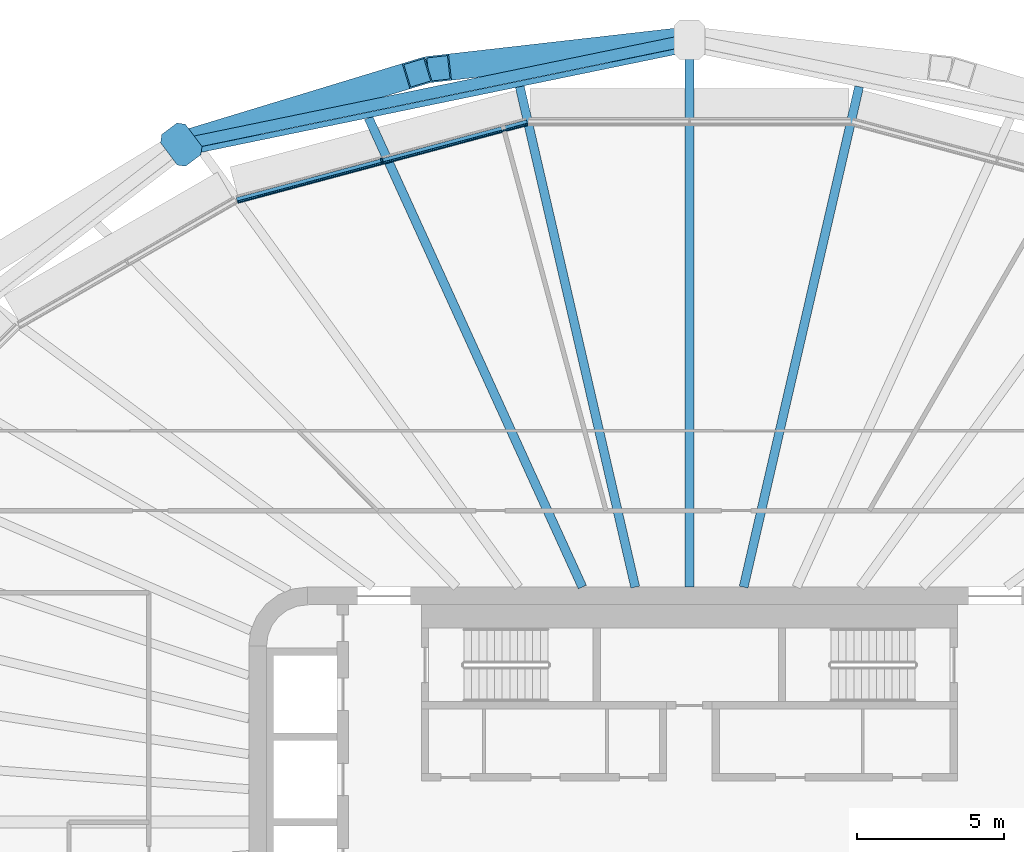
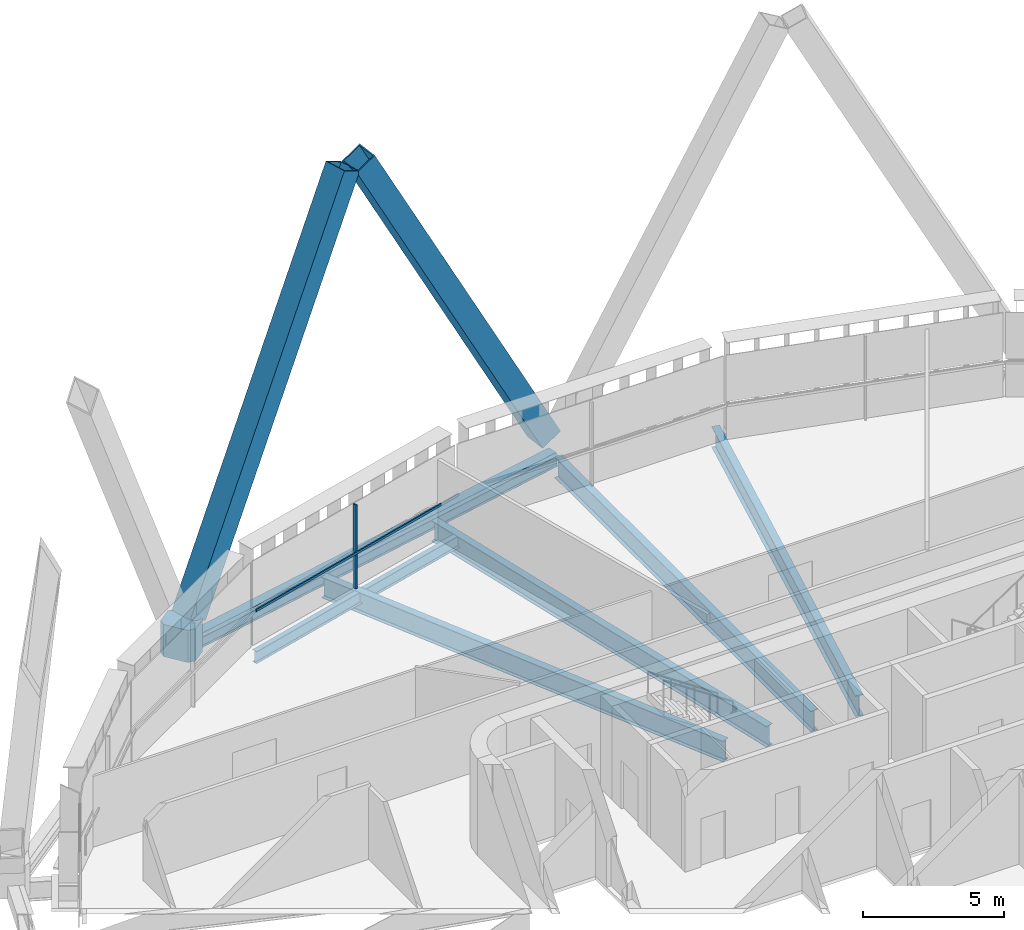
# One storey, part 8 of 25: 7 beams, 5 members, 1 element without a shape of its own.
"""IFC4 building model written with IfcOpenShell, lengths in metres."""

import ifcopenshell
import ifcopenshell.guid

model = None  # the IFC model being written
_history = None  # IfcOwnerHistory: only IFC2X3 demands one
_inside = {}  # id of a spatial element -> (the spatial element, [elements in it])
_under = {}  # id of a project, library or spatial element -> (it, [spatial elements below it])
_declared = {}  # id of a project -> (the project, [libraries it declares])
_typed = {}  # id of a type object -> (the type object, [elements of that type])
_made_of = {}  # id of a material, layer set ... -> (it, [elements and type objects made of it])


def new_model(schema):
    """Start an empty IFC model of exactly this schema.

    Asked for "IFC4X3", IfcOpenShell would pick the latest addendum, in which some entities
    have other attributes; the version numbers below select the first issue.
    IFC2X3 requires an IfcOwnerHistory on every rooted entity: one is made here for all.
    """
    global model, _history
    if schema == "IFC4X3":
        model = ifcopenshell.file(schema_version=(4, 3, 0, 0))
    else:
        model = ifcopenshell.file(schema=schema)
    _inside.clear()
    _under.clear()
    _declared.clear()
    _typed.clear()
    _made_of.clear()
    _history = None
    if model.schema == "IFC2X3":
        org = make("IfcOrganization", Name="unknown")
        user = make(
            "IfcPersonAndOrganization",
            ThePerson=make("IfcPerson", FamilyName="unknown"),
            TheOrganization=org,
        )
        app = make(
            "IfcApplication",
            ApplicationDeveloper=org,
            Version="unknown",
            ApplicationFullName="unknown",
            ApplicationIdentifier="unknown",
        )
        _history = make(
            "IfcOwnerHistory",
            OwningUser=user,
            OwningApplication=app,
            ChangeAction="ADDED",
            CreationDate=0,
        )
    return model


def make(cls, **values):
    """One entity of the class cls with the attributes given. An attribute that is None is left unset."""
    return model.create_entity(
        cls, **{name: value for name, value in values.items() if value is not None}
    )


def rooted(cls, **values):
    """An entity with a GlobalId (a new one), such as an element, a storey or a relation."""
    return make(cls, GlobalId=ifcopenshell.guid.new(), OwnerHistory=_history, **values)


def si_unit(unit_type, name, prefix=None):
    """IfcSIUnit, for example si_unit("LENGTHUNIT", "METRE", prefix="MILLI")."""
    return make("IfcSIUnit", UnitType=unit_type, Prefix=prefix, Name=name)


def assignment(units):
    """IfcUnitAssignment: the units of a project."""
    return None if units is None else make("IfcUnitAssignment", Units=units)


def point(xyz):
    """IfcCartesianPoint."""
    return None if xyz is None else make("IfcCartesianPoint", Coordinates=xyz)


def direction(xyz):
    """IfcDirection."""
    return None if xyz is None else make("IfcDirection", DirectionRatios=xyz)


def frame(location, z_axis=None, x_axis=None):
    """IfcAxis2Placement3D, a coordinate frame: its origin and axes. An axis left out is left unset."""
    return make(
        "IfcAxis2Placement3D",
        Location=point(location),
        Axis=direction(z_axis),
        RefDirection=direction(x_axis),
    )


def frame_2d(location, x_axis=None):
    """IfcAxis2Placement2D, a coordinate frame in the plane: its origin and x axis."""
    return make(
        "IfcAxis2Placement2D", Location=point(location), RefDirection=direction(x_axis)
    )


def origin():
    """The frame at (0, 0, 0) with its axes left unset."""
    return frame((0.0, 0.0, 0.0))


def origin_2d():
    """The frame at (0, 0) in the plane with its x axis left unset."""
    return frame_2d((0.0, 0.0))


def place(relative_to, where):
    """IfcLocalPlacement: puts the frame where relative to a parent placement (None: the world)."""
    return make(
        "IfcLocalPlacement", PlacementRelTo=relative_to, RelativePlacement=where
    )


def context(
    kind, dimensions, precision=None, world=None, true_north=None, identifier=None
):
    """IfcGeometricRepresentationContext, for example the 3D "Model" context."""
    return make(
        "IfcGeometricRepresentationContext",
        ContextIdentifier=identifier,
        ContextType=kind,
        CoordinateSpaceDimension=dimensions,
        Precision=precision,
        WorldCoordinateSystem=world,
        TrueNorth=true_north,
    )


def subcontext(parent, identifier, kind, view, scale=None):
    """IfcGeometricRepresentationSubContext, for example "Body" below "Model"."""
    return make(
        "IfcGeometricRepresentationSubContext",
        ContextIdentifier=identifier,
        ContextType=kind,
        ParentContext=parent,
        TargetScale=scale,
        TargetView=view,
    )


def project(units=None, contexts=None):
    """IfcProject with its units and contexts."""
    return rooted(
        "IfcProject",
        Name="project",
        RepresentationContexts=contexts,
        UnitsInContext=assignment(units),
    )


def spatial(cls, under=None, at=None, **own):
    """A site, building, storey or space (cls), placed at a placement, below another one or the project."""
    s = rooted(cls, ObjectPlacement=at, **own)
    if under is not None:
        _under.setdefault(under.id(), (under, []))[1].append(s)
    return s


def polyline(points):
    """IfcPolyline through the points."""
    return make("IfcPolyline", Points=[point(p) for p in points])


def profile(cls, at=None, kind="AREA", **sizes):
    """A parametric profile (cls). Its sizes go by their IFC names, for example OverallWidth=200.0."""
    return make(cls, ProfileType=kind, Position=at, **sizes)


def rectangle(**sizes):
    """IfcRectangleProfileDef."""
    return profile("IfcRectangleProfileDef", **sizes)


def hollow_rectangle(**sizes):
    """IfcRectangleHollowProfileDef."""
    return profile("IfcRectangleHollowProfileDef", **sizes)


def i_section(**sizes):
    """IfcIShapeProfileDef."""
    return profile("IfcIShapeProfileDef", **sizes)


def outline(outer, holes=None, kind="AREA"):
    """IfcArbitraryClosedProfileDef: a profile drawn as a closed curve; with holes, ...WithVoids."""
    if holes is None:
        return make("IfcArbitraryClosedProfileDef", ProfileType=kind, OuterCurve=outer)
    return make(
        "IfcArbitraryProfileDefWithVoids",
        ProfileType=kind,
        OuterCurve=outer,
        InnerCurves=holes,
    )


def extrude(swept, where, along, depth):
    """IfcExtrudedAreaSolid: the profile swept, set in the frame where, extruded along a direction by depth."""
    return make(
        "IfcExtrudedAreaSolid",
        SweptArea=swept,
        Position=where,
        ExtrudedDirection=direction(along),
        Depth=depth,
    )


def shape(context_of_items, identifier, shape_type, items):
    """IfcShapeRepresentation: the items that make up one representation, for example the "Body"."""
    return make(
        "IfcShapeRepresentation",
        ContextOfItems=context_of_items,
        RepresentationIdentifier=identifier,
        RepresentationType=shape_type,
        Items=items,
    )


def material(Name=None, Category=None):
    """IfcMaterial."""
    return make("IfcMaterial", Name=Name, Category=Category)


def layer(
    of_material, thickness, ventilated=None, Name=None, Category=None, Priority=None
):
    """IfcMaterialLayer: one layer of a wall or slab, of a material (None: an air gap)."""
    return make(
        "IfcMaterialLayer",
        Material=of_material,
        LayerThickness=thickness,
        IsVentilated=ventilated,
        Name=Name,
        Category=Category,
        Priority=Priority,
    )


def layer_set(layers, Name=None):
    """IfcMaterialLayerSet."""
    return make("IfcMaterialLayerSet", MaterialLayers=layers, LayerSetName=Name)


def material_profile(
    of_material, cross_section, Name=None, Category=None, Priority=None
):
    """IfcMaterialProfile: a cross section and its material."""
    return make(
        "IfcMaterialProfile",
        Name=Name,
        Material=of_material,
        Profile=cross_section,
        Priority=Priority,
        Category=Category,
    )


def profile_set(profiles, Name=None, composite=None):
    """IfcMaterialProfileSet."""
    return make(
        "IfcMaterialProfileSet",
        Name=Name,
        MaterialProfiles=profiles,
        CompositeProfile=composite,
    )


def made_of(thing, what):
    """Note that an element or type object is made of a material, layer set ...; save() writes the relation."""
    if what is not None:
        _made_of.setdefault(what.id(), (what, []))[1].append(thing)
    return thing


def type_object(cls, material=None, **own):
    """A type object (cls), such as IfcWallType, which elements share."""
    return made_of(rooted(cls, **own), material)


def element(
    cls,
    number,
    at=None,
    inside=None,
    cuts=None,
    type_object=None,
    material=None,
    context=None,
    identifier="Body",
    shape_type=None,
    held_by="IfcProductDefinitionShape",
    body=None,
    shapes=None,
    **own,
):
    """One element of the class cls, such as IfcWall. Its Tag is "e" and its number.

    at: its placement. inside: the storey or other place that contains it. cuts: it is an
    opening in that element (IfcRelVoidsElement). A single representation is given by context,
    identifier, shape_type and body (its items); several are given by shapes. held_by: the class
    of the entity that holds the representations. save() writes the other relations.
    """
    e = rooted(cls, Tag="e%d" % number, ObjectPlacement=at, **own)
    if body is not None:
        shapes = [shape(context, identifier, shape_type, body)]
    if shapes is not None:
        e.Representation = make(held_by, Representations=shapes)
    if inside is not None:
        _inside.setdefault(inside.id(), (inside, []))[1].append(e)
    if cuts is not None:
        rooted(
            "IfcRelVoidsElement", RelatingBuildingElement=cuts, RelatedOpeningElement=e
        )
    if type_object is not None:
        _typed.setdefault(type_object.id(), (type_object, []))[1].append(e)
    return made_of(e, material)


def aggregate(whole, parts):
    """IfcRelAggregates: a whole, such as a stair, and the parts it consists of."""
    return rooted("IfcRelAggregates", RelatingObject=whole, RelatedObjects=parts)


def save(model, path):
    """Write the relations noted so far, then the file.

    IfcRelAggregates (storeys below a building ...), IfcRelContainedInSpatialStructure (elements
    in a storey), IfcRelDefinesByType, IfcRelAssociatesMaterial and IfcRelDeclares: one each for
    every whole, place, type object, material and project.
    """
    for whole, parts in _under.values():
        aggregate(whole, parts)
    for where, things in _inside.values():
        rooted(
            "IfcRelContainedInSpatialStructure",
            RelatedElements=things,
            RelatingStructure=where,
        )
    for kind, things in _typed.values():
        rooted("IfcRelDefinesByType", RelatedObjects=things, RelatingType=kind)
    for what, things in _made_of.values():
        rooted("IfcRelAssociatesMaterial", RelatedObjects=things, RelatingMaterial=what)
    for by, libraries in _declared.values():
        rooted("IfcRelDeclares", RelatingContext=by, RelatedDefinitions=libraries)
    model.write(path)


model = new_model("IFC4")

# Units and contexts
model_context = context("Model", 3, precision=1e-05, world=origin(), true_north=direction((0.0, 1.0)))
body_context = subcontext(model_context, "Body", "Model", "MODEL_VIEW")
ifc_project = project(units=[si_unit("LENGTHUNIT", "METRE"), si_unit("AREAUNIT", "SQUARE_METRE"), si_unit("VOLUMEUNIT", "CUBIC_METRE"), si_unit("PLANEANGLEUNIT", "RADIAN"), si_unit("MASSUNIT", "GRAM", prefix="KILO")], contexts=[model_context])

# Site, building, storey
site_placement = place(None, origin())
site = spatial("IfcSite", under=ifc_project, at=site_placement, CompositionType="ELEMENT")
building_placement = place(site_placement, origin())
building = spatial("IfcBuilding", under=site, at=building_placement, Name="Sahrelin Media Tower", CompositionType="ELEMENT")
storey_placement = place(building_placement, frame((0.0, 0.0, 114.60009765625)))
storey = spatial("IfcBuildingStorey", under=building, at=storey_placement, Name="L22", CompositionType="ELEMENT", Elevation=114.60009765625)

# Members
ifc_material_1 = material(Name="Steel S460", Category="steel")
ifc_material_profile_1 = material_profile(ifc_material_1, hollow_rectangle(XDim=0.89990234375, YDim=0.89990234375, WallThickness=0.050048828125, at=origin_2d()), Name="Diagrid diagonal DG3")
ifc_profile_set_1 = profile_set([ifc_material_profile_1], Name="Steel S460")
member_type_1 = type_object("IfcMemberType", Name="Diagrid diagonal DG3", PredefinedType="BRACE", material=ifc_profile_set_1)
member_1_placement = place(storey_placement, frame((-0.37158203125, 26.584716796875, 0.699951171875), z_axis=(-0.468103705701, -0.053333757537, 0.882062600395), x_axis=(0.113203375276, -0.993571837275, 0.0)))
element("IfcMember", 1, at=member_1_placement, inside=storey, type_object=member_type_1, Name="Diagrid diagonal D04-06", PredefinedType="BRACE", context=body_context, shape_type="SweptSolid", body=[
    extrude(hollow_rectangle(XDim=0.89990234375, YDim=0.89990234375, WallThickness=0.050048828125, at=origin_2d()), origin(), (0.0, 0.0, 1.0), 17.458984375),
])
member_2_placement = place(storey_placement, frame((-16.947998046875, 23.166015625, 0.699951171875), z_axis=(0.442364026097, 0.134663087703, 0.886667875377), x_axis=(-0.291222097573, 0.956655470838, 0.0)))
element("IfcMember", 2, at=member_2_placement, inside=storey, type_object=member_type_1, Name="Diagrid diagonal D04-07", PredefinedType="BRACE", context=body_context, shape_type="SweptSolid", body=[
    extrude(hollow_rectangle(XDim=0.89990234375, YDim=0.89990234375, WallThickness=0.050048828125, at=origin_2d()), origin(), (0.0, 0.0, 1.0), 17.368408203125),
])
ifc_material_profile_2 = material_profile(ifc_material_1, outline(polyline([(0.47509765625, -0.52490234375), (0.675048828125, -0.324951171875), (0.675048828125, 0.324951171875), (0.47509765625, 0.52490234375), (-0.47509765625, 0.52490234375), (-0.675048828125, 0.324951171875), (-0.675048828125, -0.324951171875), (-0.47509765625, -0.52490234375), (0.47509765625, -0.52490234375)])), Name="Diagrid node block 1350")
ifc_profile_set_2 = profile_set([ifc_material_profile_2], Name="Steel S460")
member_type_2 = type_object("IfcMemberType", Name="Diagrid node block 1350", PredefinedType="USERDEFINED", material=ifc_profile_set_2)
member_3_placement = place(storey_placement, frame((-17.297119140625, 23.059814453125, -0.7001953125), z_axis=(0.0, 0.0, 1.0), x_axis=(-0.600050297167, 0.799962274654, 0.0)))
element("IfcMember", 3, at=member_3_placement, inside=storey, type_object=member_type_2, Name="Diagrid node N04-04", ObjectType="NODE", PredefinedType="USERDEFINED", context=body_context, shape_type="SweptSolid", body=[
    extrude(outline(polyline([(0.47509765625, -0.52490234375), (0.675048828125, -0.324951171875), (0.675048828125, 0.324951171875), (0.47509765625, 0.52490234375), (-0.47509765625, 0.52490234375), (-0.675048828125, 0.324951171875), (-0.675048828125, -0.324951171875), (-0.47509765625, -0.52490234375), (0.47509765625, -0.52490234375)])), origin(), (0.0, 0.0, 1.0), 1.400146484375),
])

# Beams
ifc_material_profile_3 = material_profile(ifc_material_1, hollow_rectangle(XDim=0.39990234375, YDim=0.60009765625, WallThickness=0.030029296875, at=origin_2d()), Name="Diagrid ring beam RB1")
ifc_profile_set_3 = profile_set([ifc_material_profile_3], Name="Steel S460")
beam_type_1 = type_object("IfcBeamType", Name="Diagrid ring beam RB1", PredefinedType="BEAM", material=ifc_profile_set_3)
beam_1_placement = place(storey_placement, frame((0.0, 26.627197265625, -0.4501953125), z_axis=(-0.979387523042, -0.201990296076, 0.0), x_axis=(0.201990296076, -0.979387523042, 0.0)))
element("IfcBeam", 4, at=beam_1_placement, inside=storey, type_object=beam_type_1, Name="Diagrid ring beam RB04-03", PredefinedType="BEAM", context=body_context, shape_type="SweptSolid", body=[
    extrude(hollow_rectangle(XDim=0.39990234375, YDim=0.60009765625, WallThickness=0.030029296875, at=origin_2d()), origin(), (0.0, 0.0, 1.0), 17.6611328125),
])
ifc_material_2 = material(Name="Steel S355", Category="steel")
ifc_material_profile_4 = material_profile(ifc_material_2, i_section(OverallWidth=0.208740234375, OverallDepth=0.5283203125, WebThickness=0.009521484375, FlangeThickness=0.01318359375, FilletRadius=0.0126953125, at=origin_2d()), Name="UB 533x210x82")
ifc_profile_set_4 = profile_set([ifc_material_profile_4], Name="Steel S355")
beam_type_2 = type_object("IfcBeamType", Name="Edge beam EB6", PredefinedType="BEAM", material=ifc_profile_set_4)
beam_2_placement = place(storey_placement, frame((-15.398193359375, 21.15478515625, -0.414306640625), z_axis=(0.96592556592, 0.258820016811, 0.0), x_axis=(-0.258820016811, 0.96592556592, 0.0)))
element("IfcBeam", 5, at=beam_2_placement, inside=storey, type_object=beam_type_2, Name="Edge beam L22-18", PredefinedType="BEAM", context=body_context, shape_type="SweptSolid", body=[
    extrude(i_section(OverallWidth=0.208740234375, OverallDepth=0.5283203125, WebThickness=0.009521484375, FlangeThickness=0.01318359375, FilletRadius=0.0126953125, at=origin_2d()), origin(), (0.0, 0.0, 1.0), 10.22607421875),
])

# Curtain wall, member
ifc_material_3 = material(Name="Champagne anodised aluminium 6063-T6", Category="aluminium")
ifc_layer = layer(ifc_material_3, 0.14990234375)
ifc_layer_set = layer_set([ifc_layer], Name="Tower ribbon curtain wall")
curtain_wall_type = type_object("IfcCurtainWallType", Name="Tower ribbon curtain wall", PredefinedType="NOTDEFINED", material=ifc_layer_set)
curtain_wall_placement = place(storey_placement, frame((-10.498046875, 22.622802734375, 0.0), z_axis=(0.0, 0.0, 1.0), x_axis=(1.0, 0.0, 0.0)))
curtain_wall = element("IfcCurtainWall", 6, at=curtain_wall_placement, inside=storey, type_object=curtain_wall_type, Name="L22:CW:L22-07", PredefinedType="NOTDEFINED")
ifc_material_profile_5 = material_profile(ifc_material_3, rectangle(XDim=0.06005859375, YDim=0.14990234375, at=origin_2d()), Name="Mullion 60x150")
ifc_profile_set_5 = profile_set([ifc_material_profile_5], Name="Champagne anodised aluminium 6063-T6")
member_type_3 = type_object("IfcMemberType", Name="Mullion 60x150 CW1", PredefinedType="MULLION", material=ifc_profile_set_5)
member_4_placement = place(storey_placement, frame((-10.473388671875, 22.53125, 0.0), z_axis=(0.0, 0.0, 1.0), x_axis=(-0.965925374563, -0.258820730961, 0.0)))
member_4 = element("IfcMember", 7, at=member_4_placement, type_object=member_type_3, Name="L22:CWM:L22-07", PredefinedType="MULLION", context=body_context, shape_type="SweptSolid", body=[
    extrude(rectangle(XDim=0.06005859375, YDim=0.14990234375, at=origin_2d()), origin(), (0.0, 0.0, 1.0), 3.6484375),
])

# Beams
ifc_material_profile_6 = material_profile(ifc_material_2, i_section(OverallWidth=0.30322265625, OverallDepth=0.903076171875, WebThickness=0.01513671875, FlangeThickness=0.020263671875, FilletRadius=0.01904296875, at=origin_2d()), Name="UB 914x305x201")
ifc_profile_set_6 = profile_set([ifc_material_profile_6], Name="Steel S355")
beam_type_3 = type_object("IfcBeamType", Name="Radial primary beam PB11", PredefinedType="BEAM", material=ifc_profile_set_6)
for number, where, z_axis, x_axis, name in (
    (8, (1.845458984375, 8.0, -0.6015625), (0.224785041483, 0.974408376978, 0.0), (-0.974408376978, 0.224785041483, 0.0), "Radial beam L22-06"),
    (9, (-1.845458984375, 8.0, -0.6015625), (-0.224785041483, 0.974408376978, 0.0), (-0.974408376978, -0.224785041483, 0.0), "Radial beam L22-07"),
):
    element("IfcBeam", number, at=place(storey_placement, frame(where, z_axis=z_axis, x_axis=x_axis)), inside=storey, type_object=beam_type_3, Name=name, PredefinedType="BEAM", context=body_context, shape_type="SweptSolid", body=[
        extrude(i_section(OverallWidth=0.30322265625, OverallDepth=0.903076171875, WebThickness=0.01513671875, FlangeThickness=0.020263671875, FilletRadius=0.01904296875, at=origin_2d()), origin(), (0.0, 0.0, 1.0), 17.479736328125),
    ])
ifc_material_profile_7 = material_profile(ifc_material_2, i_section(OverallWidth=0.30322265625, OverallDepth=0.903076171875, WebThickness=0.01513671875, FlangeThickness=0.020263671875, FilletRadius=0.01904296875, at=origin_2d()), Name="UB 914x305x201")
ifc_profile_set_7 = profile_set([ifc_material_profile_7], Name="Steel S355")
beam_type_4 = type_object("IfcBeamType", Name="Radial secondary beam SB11", PredefinedType="BEAM", material=ifc_profile_set_7)
beam_3_placement = place(storey_placement, frame((0.0, 8.0, -0.6015625), z_axis=(0.0, 1.0, 0.0), x_axis=(-1.0, 0.0, 0.0)))
element("IfcBeam", 10, at=beam_3_placement, inside=storey, type_object=beam_type_4, Name="Secondary beam L22-06", PredefinedType="BEAM", context=body_context, shape_type="SweptSolid", body=[
    extrude(i_section(OverallWidth=0.30322265625, OverallDepth=0.903076171875, WebThickness=0.01513671875, FlangeThickness=0.020263671875, FilletRadius=0.01904296875, at=origin_2d()), origin(), (0.0, 0.0, 1.0), 18.223388671875),
])
beam_4_placement = place(storey_placement, frame((-3.645263671875, 8.0, -0.6015625), z_axis=(-0.414638082783, 0.90998640666, 0.0), x_axis=(-0.90998640666, -0.414638082783, 0.0)))
element("IfcBeam", 11, at=beam_4_placement, inside=storey, type_object=beam_type_4, Name="Secondary beam L22-07", PredefinedType="BEAM", context=body_context, shape_type="SweptSolid", body=[
    extrude(i_section(OverallWidth=0.30322265625, OverallDepth=0.903076171875, WebThickness=0.01513671875, FlangeThickness=0.020263671875, FilletRadius=0.01904296875, at=origin_2d()), origin(), (0.0, 0.0, 1.0), 17.550537109375),
])
ifc_material_profile_8 = material_profile(ifc_material_2, i_section(OverallWidth=0.1904296875, OverallDepth=0.45703125, WebThickness=0.009033203125, FlangeThickness=0.014404296875, FilletRadius=0.01025390625, at=origin_2d()), Name="UB 457x191x74")
ifc_profile_set_8 = profile_set([ifc_material_profile_8], Name="Steel S355")
beam_type_5 = type_object("IfcBeamType", Name="Tie chord TC5", PredefinedType="BEAM", material=ifc_profile_set_8)
beam_5_placement = place(storey_placement, frame((-17.168701171875, 22.77978515625, -0.378662109375), z_axis=(0.979388947425, 0.201983389567, 0.0), x_axis=(-0.201983389567, 0.979388947425, 0.0)))
element("IfcBeam", 12, at=beam_5_placement, inside=storey, type_object=beam_type_5, Name="Tie chord L22-09", PredefinedType="BEAM", context=body_context, shape_type="SweptSolid", body=[
    extrude(i_section(OverallWidth=0.1904296875, OverallDepth=0.45703125, WebThickness=0.009033203125, FlangeThickness=0.014404296875, FilletRadius=0.01025390625, at=origin_2d()), origin(), (0.0, 0.0, 1.0), 17.530029296875),
])

# Member
ifc_material_profile_9 = material_profile(ifc_material_3, rectangle(XDim=0.050048828125, YDim=0.10009765625, at=origin_2d()), Name="Transom 50x100")
ifc_profile_set_9 = profile_set([ifc_material_profile_9], Name="Champagne anodised aluminium 6063-T6")
member_type_4 = type_object("IfcMemberType", Name="Transom 50x100 CW1", PredefinedType="USERDEFINED", material=ifc_profile_set_9)
member_5_placement = place(storey_placement, frame((-5.52392578125, 23.75390625, 1.599853515625), z_axis=(-0.965924213862, -0.258825062686, 0.0), x_axis=(0.258825062686, -0.965924213862, 0.0)))
member_5 = element("IfcMember", 13, at=member_5_placement, type_object=member_type_4, Name="L22:CWT:L22-07", ObjectType="TRANSOM", PredefinedType="USERDEFINED", context=body_context, shape_type="SweptSolid", body=[
    extrude(rectangle(XDim=0.050048828125, YDim=0.10009765625, at=origin_2d()), origin(), (0.0, 0.0, 1.0), 10.19482421875),
])

aggregate(curtain_wall, [member_4, member_5])

save(model, "model.ifc")
